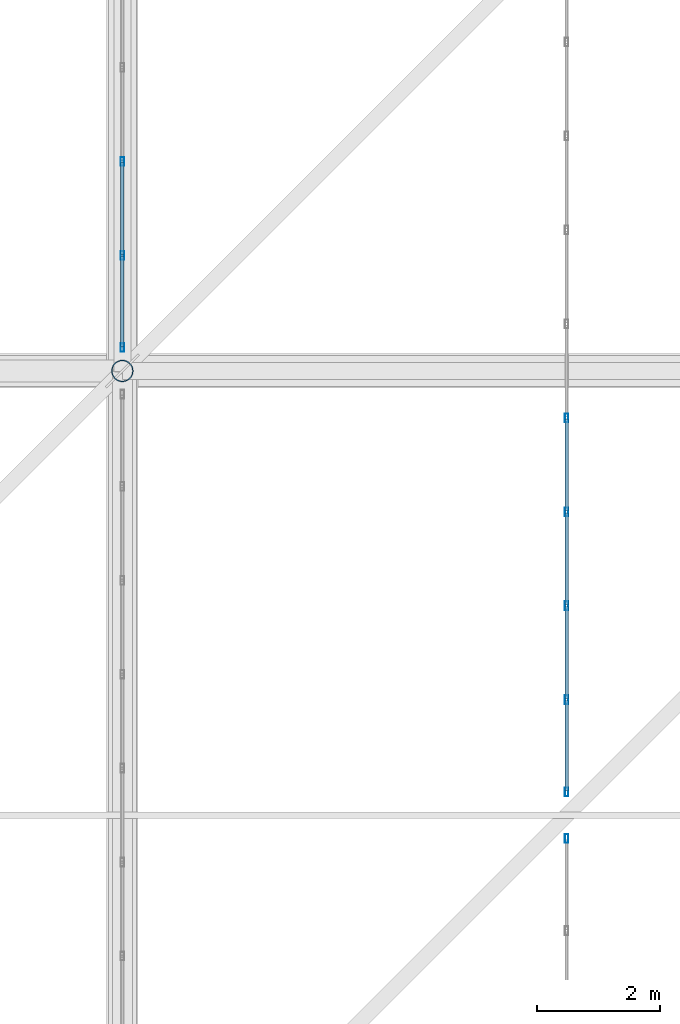
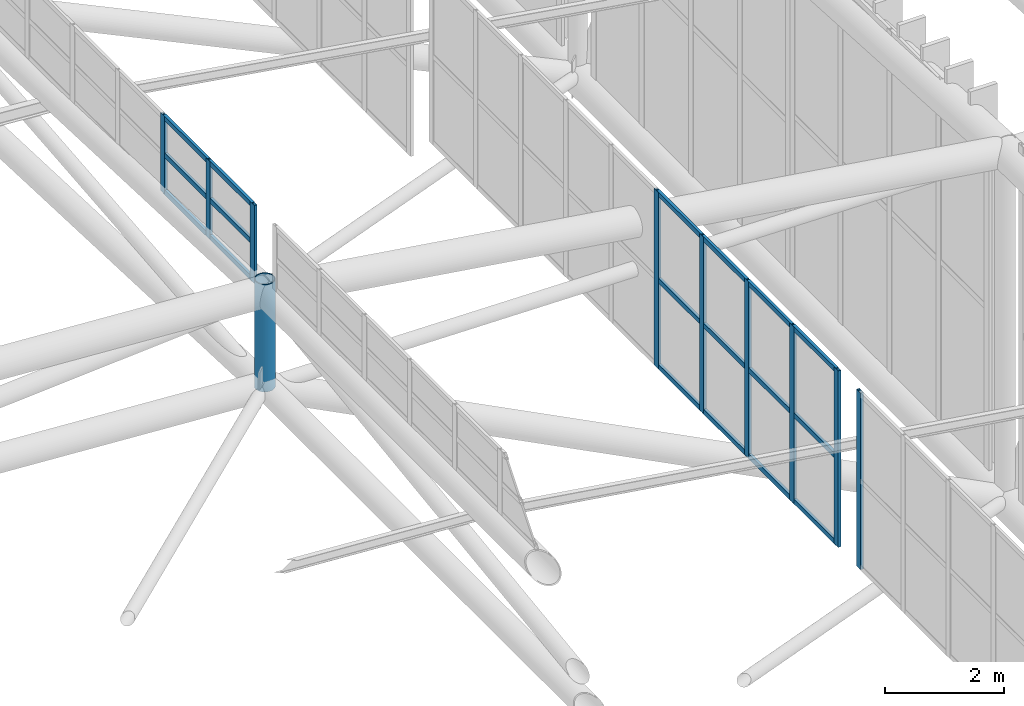
# One storey, part 271 of 397: 28 members, 3 elements without a shape of their own.
"""IFC4 building model written with IfcOpenShell, lengths in metres."""

from ifc_helpers import new_model, si_unit, direction, frame, origin, origin_2d, place, context, subcontext, project, spatial, hollow_rectangle, hollow_circle, extrude, material, material_profile, profile_set, type_object, element, aggregate, save


model = new_model("IFC4")

# Units and contexts
model_context = context("Model", 3, precision=1e-05, world=origin(), true_north=direction((0.0, 1.0)))
body_context = subcontext(model_context, "Body", "Model", "MODEL_VIEW")
ifc_project = project(units=[si_unit("LENGTHUNIT", "METRE"), si_unit("AREAUNIT", "SQUARE_METRE"), si_unit("VOLUMEUNIT", "CUBIC_METRE"), si_unit("PLANEANGLEUNIT", "RADIAN"), si_unit("MASSUNIT", "GRAM", prefix="KILO")], contexts=[model_context])

# Site, building, storey
site_placement = place(None, origin())
site = spatial("IfcSite", under=ifc_project, at=site_placement, CompositionType="ELEMENT")
building_placement = place(site_placement, origin())
building = spatial("IfcBuilding", under=site, at=building_placement, Name="Qandorah Velis Arena", CompositionType="ELEMENT")
storey_placement = place(building_placement, frame((0.0, 0.0, 27.5)))
storey = spatial("IfcBuildingStorey", under=building, at=storey_placement, Name="RF", CompositionType="ELEMENT", Elevation=27.5)

# Curtain wall, member
ifc_material_1 = material(Name="Solar-control low-E double glazing", Category="glass")
curtain_wall_type_1 = type_object("IfcCurtainWallType", Name="ARC-CW-SYS15", PredefinedType="USERDEFINED", material=ifc_material_1)
curtain_wall_1_placement = place(storey_placement, origin())
curtain_wall_1 = element("IfcCurtainWall", 1, at=curtain_wall_1_placement, inside=storey, type_object=curtain_wall_type_1, Name="Unitised curtain wall MON-2-3", ObjectType="UNITISED CURTAIN WALL", PredefinedType="USERDEFINED")
ifc_material_2 = material(Name="Champagne-bronze anodized aluminium 6063-T6", Category="aluminium")
ifc_material_profile_1 = material_profile(ifc_material_2, hollow_rectangle(XDim=0.054931640625, YDim=0.139892578125, WallThickness=0.0029296875, at=origin_2d()), Name="ALU MULLION 55x140")
ifc_profile_set_1 = profile_set([ifc_material_profile_1], Name="Champagne-bronze anodized aluminium 6063-T6")
member_type_1 = type_object("IfcMemberType", Name="ARC-CWM-140", PredefinedType="MULLION", material=ifc_profile_set_1)
member_1_placement = place(storey_placement, frame((108.0, 64.422607421875, 5.830322265625), z_axis=(0.0, 0.0, 1.0), x_axis=(-1.0, 0.0, 0.0)))
member_1 = element("IfcMember", 2, at=member_1_placement, type_object=member_type_1, Name="CW15 mullion 10", PredefinedType="MULLION", context=body_context, shape_type="SweptSolid", body=[
    extrude(hollow_rectangle(XDim=0.054931640625, YDim=0.139892578125, WallThickness=0.0029296875, at=origin_2d()), origin(), (0.0, 0.0, 1.0), 3.6298828125),
])
aggregate(curtain_wall_1, [member_1])

# Curtain wall, members
curtain_wall_type_2 = type_object("IfcCurtainWallType", Name="ARC-CW-SYS16", PredefinedType="USERDEFINED", material=ifc_material_1)
curtain_wall_2_placement = place(storey_placement, origin())
curtain_wall_2 = element("IfcCurtainWall", 3, at=curtain_wall_2_placement, inside=storey, type_object=curtain_wall_type_2, Name="Unitised curtain wall MON-2-4", ObjectType="UNITISED CURTAIN WALL", PredefinedType="USERDEFINED")
member_2_placement = place(storey_placement, frame((108.0, 65.177490234375, 5.830322265625), z_axis=(0.0, 0.0, 1.0), x_axis=(-1.0, 0.0, 0.0)))
member_2 = element("IfcMember", 4, at=member_2_placement, type_object=member_type_1, Name="CW16 mullion 1", PredefinedType="MULLION", context=body_context, shape_type="SweptSolid", body=[
    extrude(hollow_rectangle(XDim=0.054931640625, YDim=0.139892578125, WallThickness=0.0029296875, at=origin_2d()), origin(), (0.0, 0.0, 1.0), 3.6298828125),
])
member_3_placement = place(storey_placement, frame((108.0, 66.672119140625, 5.830322265625), z_axis=(0.0, 0.0, 1.0), x_axis=(-1.0, 0.0, 0.0)))
member_3 = element("IfcMember", 5, at=member_3_placement, type_object=member_type_1, Name="CW16 mullion 2", PredefinedType="MULLION", context=body_context, shape_type="SweptSolid", body=[
    extrude(hollow_rectangle(XDim=0.054931640625, YDim=0.139892578125, WallThickness=0.0029296875, at=origin_2d()), origin(), (0.0, 0.0, 1.0), 3.6298828125),
])
member_4_placement = place(storey_placement, frame((108.0, 68.1943359375, 5.830322265625), z_axis=(0.0, 0.0, 1.0), x_axis=(-1.0, 0.0, 0.0)))
member_4 = element("IfcMember", 6, at=member_4_placement, type_object=member_type_1, Name="CW16 mullion 3", PredefinedType="MULLION", context=body_context, shape_type="SweptSolid", body=[
    extrude(hollow_rectangle(XDim=0.054931640625, YDim=0.139892578125, WallThickness=0.0029296875, at=origin_2d()), origin(), (0.0, 0.0, 1.0), 3.6298828125),
])
member_5_placement = place(storey_placement, frame((108.0, 69.716552734375, 5.830322265625), z_axis=(0.0, 0.0, 1.0), x_axis=(-1.0, 0.0, 0.0)))
member_5 = element("IfcMember", 7, at=member_5_placement, type_object=member_type_1, Name="CW16 mullion 4", PredefinedType="MULLION", context=body_context, shape_type="SweptSolid", body=[
    extrude(hollow_rectangle(XDim=0.054931640625, YDim=0.139892578125, WallThickness=0.0029296875, at=origin_2d()), origin(), (0.0, 0.0, 1.0), 3.6298828125),
])
member_6_placement = place(storey_placement, frame((108.0, 71.23876953125, 5.830322265625), z_axis=(0.0, 0.0, 1.0), x_axis=(-1.0, 0.0, 0.0)))
member_6 = element("IfcMember", 8, at=member_6_placement, type_object=member_type_1, Name="CW16 mullion 5", PredefinedType="MULLION", context=body_context, shape_type="SweptSolid", body=[
    extrude(hollow_rectangle(XDim=0.054931640625, YDim=0.139892578125, WallThickness=0.0029296875, at=origin_2d()), origin(), (0.0, 0.0, 1.0), 3.6298828125),
])

curtain_wall_type_3 = type_object("IfcCurtainWallType", Name="ARC-CW-SYS14", PredefinedType="USERDEFINED", material=ifc_material_1)
curtain_wall_3_placement = place(storey_placement, origin())
curtain_wall_3 = element("IfcCurtainWall", 9, at=curtain_wall_3_placement, inside=storey, type_object=curtain_wall_type_3, Name="Unitised curtain wall OCULUS-2-4", ObjectType="UNITISED CURTAIN WALL", PredefinedType="USERDEFINED")
member_7_placement = place(storey_placement, frame((100.800048828125, 72.37744140625, 9.41259765625), z_axis=(0.0, 0.0, 1.0), x_axis=(-1.0, 0.0, 0.0)))
member_7 = element("IfcMember", 10, at=member_7_placement, type_object=member_type_1, Name="CW14 mullion 1", PredefinedType="MULLION", context=body_context, shape_type="SweptSolid", body=[
    extrude(hollow_rectangle(XDim=0.054931640625, YDim=0.139892578125, WallThickness=0.0029296875, at=origin_2d()), origin(), (0.0, 0.0, 1.0), 1.602294921875),
])
member_8_placement = place(storey_placement, frame((100.800048828125, 73.872314453125, 9.41259765625), z_axis=(0.0, 0.0, 1.0), x_axis=(-1.0, 0.0, 0.0)))
member_8 = element("IfcMember", 11, at=member_8_placement, type_object=member_type_1, Name="CW14 mullion 2", PredefinedType="MULLION", context=body_context, shape_type="SweptSolid", body=[
    extrude(hollow_rectangle(XDim=0.054931640625, YDim=0.139892578125, WallThickness=0.0029296875, at=origin_2d()), origin(), (0.0, 0.0, 1.0), 1.602294921875),
])
member_9_placement = place(storey_placement, frame((100.800048828125, 75.39453125, 9.41259765625), z_axis=(0.0, 0.0, 1.0), x_axis=(-1.0, 0.0, 0.0)))
member_9 = element("IfcMember", 12, at=member_9_placement, type_object=member_type_1, Name="CW14 mullion 3", PredefinedType="MULLION", context=body_context, shape_type="SweptSolid", body=[
    extrude(hollow_rectangle(XDim=0.054931640625, YDim=0.139892578125, WallThickness=0.0029296875, at=origin_2d()), origin(), (0.0, 0.0, 1.0), 1.602294921875),
])

# Member
ifc_material_profile_2 = material_profile(ifc_material_2, hollow_rectangle(XDim=0.054931640625, YDim=0.10009765625, WallThickness=0.0029296875, at=origin_2d()), Name="ALU TRANSOM 55x100")
ifc_profile_set_2 = profile_set([ifc_material_profile_2], Name="Champagne-bronze anodized aluminium 6063-T6")
member_type_2 = type_object("IfcMemberType", Name="ARC-CWT-100", PredefinedType="USERDEFINED", material=ifc_profile_set_2)
member_10_placement = place(storey_placement, frame((108.0, 65.193115234375, 5.872802734375), z_axis=(0.0, 1.0, 0.0), x_axis=(-1.0, 0.0, 0.0)))
member_10 = element("IfcMember", 13, at=member_10_placement, type_object=member_type_2, Name="CW16 transom 1.1", ObjectType="TRANSOM", PredefinedType="USERDEFINED", context=body_context, shape_type="SweptSolid", body=[
    extrude(hollow_rectangle(XDim=0.054931640625, YDim=0.10009765625, WallThickness=0.0029296875, at=origin_2d()), origin(), (0.0, 0.0, 1.0), 1.463623046875),
])

member_11_placement = place(storey_placement, frame((108.0, 65.193115234375, 7.645263671875), z_axis=(0.0, 1.0, 0.0), x_axis=(-1.0, 0.0, 0.0)))
member_11 = element("IfcMember", 14, at=member_11_placement, type_object=member_type_2, Name="CW16 transom 1.2", ObjectType="TRANSOM", PredefinedType="USERDEFINED", context=body_context, shape_type="SweptSolid", body=[
    extrude(hollow_rectangle(XDim=0.054931640625, YDim=0.10009765625, WallThickness=0.0029296875, at=origin_2d()), origin(), (0.0, 0.0, 1.0), 1.463623046875),
])

member_12_placement = place(storey_placement, frame((108.0, 65.193115234375, 9.417724609375), z_axis=(0.0, 1.0, 0.0), x_axis=(-1.0, 0.0, 0.0)))
member_12 = element("IfcMember", 15, at=member_12_placement, type_object=member_type_2, Name="CW16 transom 1.3", ObjectType="TRANSOM", PredefinedType="USERDEFINED", context=body_context, shape_type="SweptSolid", body=[
    extrude(hollow_rectangle(XDim=0.054931640625, YDim=0.10009765625, WallThickness=0.0029296875, at=origin_2d()), origin(), (0.0, 0.0, 1.0), 1.463623046875),
])

member_13_placement = place(storey_placement, frame((108.0, 66.687744140625, 5.872802734375), z_axis=(0.0, 1.0, 0.0), x_axis=(-1.0, 0.0, 0.0)))
member_13 = element("IfcMember", 16, at=member_13_placement, type_object=member_type_2, Name="CW16 transom 2.1", ObjectType="TRANSOM", PredefinedType="USERDEFINED", context=body_context, shape_type="SweptSolid", body=[
    extrude(hollow_rectangle(XDim=0.054931640625, YDim=0.10009765625, WallThickness=0.0029296875, at=origin_2d()), origin(), (0.0, 0.0, 1.0), 1.4912109375),
])

member_14_placement = place(storey_placement, frame((108.0, 66.687744140625, 7.645263671875), z_axis=(0.0, 1.0, 0.0), x_axis=(-1.0, 0.0, 0.0)))
member_14 = element("IfcMember", 17, at=member_14_placement, type_object=member_type_2, Name="CW16 transom 2.2", ObjectType="TRANSOM", PredefinedType="USERDEFINED", context=body_context, shape_type="SweptSolid", body=[
    extrude(hollow_rectangle(XDim=0.054931640625, YDim=0.10009765625, WallThickness=0.0029296875, at=origin_2d()), origin(), (0.0, 0.0, 1.0), 1.4912109375),
])

member_15_placement = place(storey_placement, frame((108.0, 66.687744140625, 9.417724609375), z_axis=(0.0, 1.0, 0.0), x_axis=(-1.0, 0.0, 0.0)))
member_15 = element("IfcMember", 18, at=member_15_placement, type_object=member_type_2, Name="CW16 transom 2.3", ObjectType="TRANSOM", PredefinedType="USERDEFINED", context=body_context, shape_type="SweptSolid", body=[
    extrude(hollow_rectangle(XDim=0.054931640625, YDim=0.10009765625, WallThickness=0.0029296875, at=origin_2d()), origin(), (0.0, 0.0, 1.0), 1.4912109375),
])

member_16_placement = place(storey_placement, frame((108.0, 68.2099609375, 5.872802734375), z_axis=(0.0, 1.0, 0.0), x_axis=(-1.0, 0.0, 0.0)))
member_16 = element("IfcMember", 19, at=member_16_placement, type_object=member_type_2, Name="CW16 transom 3.1", ObjectType="TRANSOM", PredefinedType="USERDEFINED", context=body_context, shape_type="SweptSolid", body=[
    extrude(hollow_rectangle(XDim=0.054931640625, YDim=0.10009765625, WallThickness=0.0029296875, at=origin_2d()), origin(), (0.0, 0.0, 1.0), 1.4912109375),
])

member_17_placement = place(storey_placement, frame((108.0, 68.2099609375, 7.645263671875), z_axis=(0.0, 1.0, 0.0), x_axis=(-1.0, 0.0, 0.0)))
member_17 = element("IfcMember", 20, at=member_17_placement, type_object=member_type_2, Name="CW16 transom 3.2", ObjectType="TRANSOM", PredefinedType="USERDEFINED", context=body_context, shape_type="SweptSolid", body=[
    extrude(hollow_rectangle(XDim=0.054931640625, YDim=0.10009765625, WallThickness=0.0029296875, at=origin_2d()), origin(), (0.0, 0.0, 1.0), 1.4912109375),
])

member_18_placement = place(storey_placement, frame((108.0, 68.2099609375, 9.417724609375), z_axis=(0.0, 1.0, 0.0), x_axis=(-1.0, 0.0, 0.0)))
member_18 = element("IfcMember", 21, at=member_18_placement, type_object=member_type_2, Name="CW16 transom 3.3", ObjectType="TRANSOM", PredefinedType="USERDEFINED", context=body_context, shape_type="SweptSolid", body=[
    extrude(hollow_rectangle(XDim=0.054931640625, YDim=0.10009765625, WallThickness=0.0029296875, at=origin_2d()), origin(), (0.0, 0.0, 1.0), 1.4912109375),
])

member_19_placement = place(storey_placement, frame((108.0, 69.732177734375, 5.872802734375), z_axis=(0.0, 1.0, 0.0), x_axis=(-1.0, 0.0, 0.0)))
member_19 = element("IfcMember", 22, at=member_19_placement, type_object=member_type_2, Name="CW16 transom 4.1", ObjectType="TRANSOM", PredefinedType="USERDEFINED", context=body_context, shape_type="SweptSolid", body=[
    extrude(hollow_rectangle(XDim=0.054931640625, YDim=0.10009765625, WallThickness=0.0029296875, at=origin_2d()), origin(), (0.0, 0.0, 1.0), 1.4912109375),
])

member_20_placement = place(storey_placement, frame((108.0, 69.732177734375, 7.645263671875), z_axis=(0.0, 1.0, 0.0), x_axis=(-1.0, 0.0, 0.0)))
member_20 = element("IfcMember", 23, at=member_20_placement, type_object=member_type_2, Name="CW16 transom 4.2", ObjectType="TRANSOM", PredefinedType="USERDEFINED", context=body_context, shape_type="SweptSolid", body=[
    extrude(hollow_rectangle(XDim=0.054931640625, YDim=0.10009765625, WallThickness=0.0029296875, at=origin_2d()), origin(), (0.0, 0.0, 1.0), 1.4912109375),
])

member_21_placement = place(storey_placement, frame((108.0, 69.732177734375, 9.417724609375), z_axis=(0.0, 1.0, 0.0), x_axis=(-1.0, 0.0, 0.0)))
member_21 = element("IfcMember", 24, at=member_21_placement, type_object=member_type_2, Name="CW16 transom 4.3", ObjectType="TRANSOM", PredefinedType="USERDEFINED", context=body_context, shape_type="SweptSolid", body=[
    extrude(hollow_rectangle(XDim=0.054931640625, YDim=0.10009765625, WallThickness=0.0029296875, at=origin_2d()), origin(), (0.0, 0.0, 1.0), 1.4912109375),
])

aggregate(curtain_wall_2, [member_2, member_3, member_4, member_5, member_6, member_10, member_11, member_12, member_13, member_14, member_15, member_16, member_17, member_18, member_19, member_20, member_21])

member_22_placement = place(storey_placement, frame((100.800048828125, 72.39306640625, 9.455078125), z_axis=(0.0, 1.0, 0.0), x_axis=(-1.0, 0.0, 0.0)))
member_22 = element("IfcMember", 25, at=member_22_placement, type_object=member_type_2, Name="CW14 transom 1.1", ObjectType="TRANSOM", PredefinedType="USERDEFINED", context=body_context, shape_type="SweptSolid", body=[
    extrude(hollow_rectangle(XDim=0.054931640625, YDim=0.10009765625, WallThickness=0.0029296875, at=origin_2d()), origin(), (0.0, 0.0, 1.0), 1.463623046875),
])

member_23_placement = place(storey_placement, frame((100.800048828125, 72.39306640625, 10.2138671875), z_axis=(0.0, 1.0, 0.0), x_axis=(-1.0, 0.0, 0.0)))
member_23 = element("IfcMember", 26, at=member_23_placement, type_object=member_type_2, Name="CW14 transom 1.2", ObjectType="TRANSOM", PredefinedType="USERDEFINED", context=body_context, shape_type="SweptSolid", body=[
    extrude(hollow_rectangle(XDim=0.054931640625, YDim=0.10009765625, WallThickness=0.0029296875, at=origin_2d()), origin(), (0.0, 0.0, 1.0), 1.463623046875),
])

member_24_placement = place(storey_placement, frame((100.800048828125, 72.39306640625, 10.972412109375), z_axis=(0.0, 1.0, 0.0), x_axis=(-1.0, 0.0, 0.0)))
member_24 = element("IfcMember", 27, at=member_24_placement, type_object=member_type_2, Name="CW14 transom 1.3", ObjectType="TRANSOM", PredefinedType="USERDEFINED", context=body_context, shape_type="SweptSolid", body=[
    extrude(hollow_rectangle(XDim=0.054931640625, YDim=0.10009765625, WallThickness=0.0029296875, at=origin_2d()), origin(), (0.0, 0.0, 1.0), 1.463623046875),
])

member_25_placement = place(storey_placement, frame((100.800048828125, 73.8876953125, 9.455078125), z_axis=(0.0, 1.0, 0.0), x_axis=(-1.0, 0.0, 0.0)))
member_25 = element("IfcMember", 28, at=member_25_placement, type_object=member_type_2, Name="CW14 transom 2.1", ObjectType="TRANSOM", PredefinedType="USERDEFINED", context=body_context, shape_type="SweptSolid", body=[
    extrude(hollow_rectangle(XDim=0.054931640625, YDim=0.10009765625, WallThickness=0.0029296875, at=origin_2d()), origin(), (0.0, 0.0, 1.0), 1.4912109375),
])

member_26_placement = place(storey_placement, frame((100.800048828125, 73.8876953125, 10.2138671875), z_axis=(0.0, 1.0, 0.0), x_axis=(-1.0, 0.0, 0.0)))
member_26 = element("IfcMember", 29, at=member_26_placement, type_object=member_type_2, Name="CW14 transom 2.2", ObjectType="TRANSOM", PredefinedType="USERDEFINED", context=body_context, shape_type="SweptSolid", body=[
    extrude(hollow_rectangle(XDim=0.054931640625, YDim=0.10009765625, WallThickness=0.0029296875, at=origin_2d()), origin(), (0.0, 0.0, 1.0), 1.4912109375),
])

member_27_placement = place(storey_placement, frame((100.800048828125, 73.8876953125, 10.972412109375), z_axis=(0.0, 1.0, 0.0), x_axis=(-1.0, 0.0, 0.0)))
member_27 = element("IfcMember", 30, at=member_27_placement, type_object=member_type_2, Name="CW14 transom 2.3", ObjectType="TRANSOM", PredefinedType="USERDEFINED", context=body_context, shape_type="SweptSolid", body=[
    extrude(hollow_rectangle(XDim=0.054931640625, YDim=0.10009765625, WallThickness=0.0029296875, at=origin_2d()), origin(), (0.0, 0.0, 1.0), 1.4912109375),
])

aggregate(curtain_wall_3, [member_7, member_8, member_9, member_22, member_23, member_24, member_25, member_26, member_27])

ifc_material_3 = material(Name="Steel S355", Category="steel")
ifc_material_profile_3 = material_profile(ifc_material_3, hollow_circle(Radius=0.177734375, WallThickness=0.01611328125, at=origin_2d()), Name="CHS 355.6x16")
ifc_profile_set_3 = profile_set([ifc_material_profile_3], Name="Steel S355")
member_type_3 = type_object("IfcMemberType", Name="STR-SFD-CHS355X16", PredefinedType="STRUT", material=ifc_profile_set_3)
member_28_placement = place(storey_placement, frame((100.800048828125, 72.0, 7.483154296875), z_axis=(0.0, 0.0, 1.0), x_axis=(1.0, 0.0, 0.0)))
element("IfcMember", 31, at=member_28_placement, inside=storey, type_object=member_type_3, Name="Space frame roof vertical post 6.4", PredefinedType="STRUT", context=body_context, shape_type="SweptSolid", body=[
    extrude(hollow_circle(Radius=0.177734375, WallThickness=0.01611328125, at=origin_2d()), origin(), (0.0, 0.0, 1.0), 2.2099609375),
])

save(model, "model.ifc")
